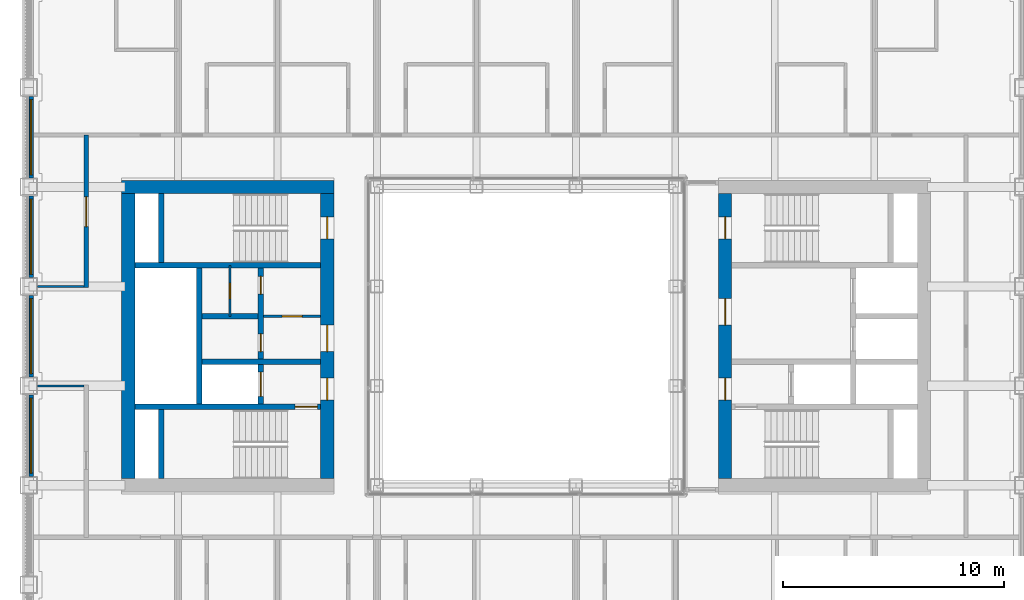
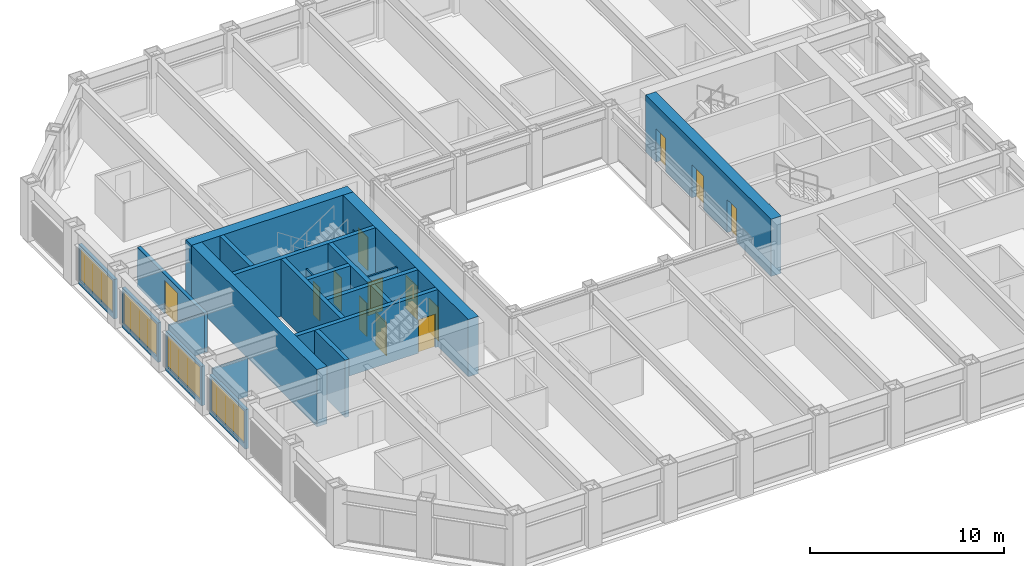
# One storey, part 11 of 17: 21 walls, 13 doors, 4 windows, 17 openings.
"""IFC4 building model written with IfcOpenShell, lengths in metres."""

from ifc_helpers import new_model, si_unit, direction, frame, frame_2d, origin, place, context, subcontext, project, spatial, rectangle, extrude, material, layer, layer_set, type_object, element, fill, save


model = new_model("IFC4")

# Units and contexts
model_context = context("Model", 3, precision=1e-05, world=origin(), true_north=direction((0.0, 1.0)))
body_context = subcontext(model_context, "Body", "Model", "MODEL_VIEW")
ifc_project = project(units=[si_unit("LENGTHUNIT", "METRE"), si_unit("AREAUNIT", "SQUARE_METRE"), si_unit("VOLUMEUNIT", "CUBIC_METRE"), si_unit("PLANEANGLEUNIT", "RADIAN"), si_unit("MASSUNIT", "GRAM", prefix="KILO")], contexts=[model_context])

# Site, building, storey
site_placement = place(None, origin())
site = spatial("IfcSite", under=ifc_project, at=site_placement, CompositionType="ELEMENT")
building_placement = place(site_placement, origin())
building = spatial("IfcBuilding", under=site, at=building_placement, Name="Msasa Ring Tower", CompositionType="ELEMENT")
storey_placement = place(building_placement, frame((0.0, 0.0, 140.0)))
storey = spatial("IfcBuildingStorey", under=building, at=storey_placement, Name="L36", CompositionType="ELEMENT", Elevation=140.0)

# Wall, openings, doors
ifc_material_1 = material(Name="Concrete C60/75", Category="concrete")
ifc_layer_1 = layer(ifc_material_1, 0.60009765625)
ifc_layer_set_1 = layer_set([ifc_layer_1], Name="CW2 CORE WALL 600")
wall_type_1 = type_object("IfcWallType", Name="CW2 CORE WALL 600", PredefinedType="SHEAR", material=ifc_layer_set_1)
wall_1_placement = place(storey_placement, frame((9.0, -6.449951171875, 0.0), z_axis=(0.0, 0.0, 1.0), x_axis=(0.0, 1.0, 0.0)))
wall_1 = element("IfcWall", 1, at=wall_1_placement, inside=storey, type_object=wall_type_1, Name="E core wall W L36", PredefinedType="SHEAR", context=body_context, shape_type="SweptSolid", body=[
    extrude(rectangle(XDim=12.89990234375, YDim=0.60009765625, at=frame_2d((6.449951171875, 0.0))), origin(), (0.0, 0.0, 1.0), 3.60009765625),
])
opening_1_placement = place(wall_1_placement, frame((3.550048828125, 0.0, 0.0)))
opening_1 = element("IfcOpeningElement", 2, at=opening_1_placement, cuts=wall_1, Name="Opening HC-029", PredefinedType="OPENING", context=body_context, shape_type="SweptSolid", body=[
    extrude(rectangle(XDim=1.0, YDim=2.10009765625, at=frame_2d((0.5, 1.050048828125))), frame((0.0, 0.31005859375, 0.0), z_axis=(0.0, -1.0, 0.0), x_axis=(1.0, 0.0, 0.0)), (0.0, 0.0, 1.0), 0.6201171875),
])
opening_2_placement = place(wall_1_placement, frame((6.949951171875, 0.0, 0.0)))
opening_2 = element("IfcOpeningElement", 3, at=opening_2_placement, cuts=wall_1, Name="Opening HC-023", PredefinedType="OPENING", context=body_context, shape_type="SweptSolid", body=[
    extrude(rectangle(XDim=1.199951171875, YDim=2.10009765625, at=frame_2d((0.60009765625, 1.050048828125))), frame((0.0, 0.31005859375, 0.0), z_axis=(0.0, -1.0, 0.0), x_axis=(1.0, 0.0, 0.0)), (0.0, 0.0, 1.0), 0.6201171875),
])
opening_3_placement = place(wall_1_placement, frame((10.85009765625, 0.0, 0.0)))
opening_3 = element("IfcOpeningElement", 4, at=opening_3_placement, cuts=wall_1, Name="Opening HC-020", PredefinedType="OPENING", context=body_context, shape_type="SweptSolid", body=[
    extrude(rectangle(XDim=1.0, YDim=2.10009765625, at=frame_2d((0.5, 1.050048828125))), frame((0.0, 0.31005859375, 0.0), z_axis=(0.0, -1.0, 0.0), x_axis=(1.0, 0.0, 0.0)), (0.0, 0.0, 1.0), 0.6201171875),
])
ifc_material_2 = material(Name="Timber door leaf in a steel frame", Category="steel")
door_type_1 = type_object("IfcDoorType", Name="D4 LOBBY DOOR 1000x2100", OperationType="SINGLE_SWING_LEFT", PredefinedType="DOOR", material=ifc_material_2)
door_1_placement = place(opening_1_placement, origin())
door_1 = element("IfcDoor", 5, at=door_1_placement, inside=storey, type_object=door_type_1, Name="Door L36-EFFL", OperationType="SINGLE_SWING_LEFT", OverallHeight=2.10009765625, OverallWidth=1.0, PredefinedType="DOOR", context=body_context, shape_type="SweptSolid", body=[
    extrude(rectangle(XDim=1.0, YDim=2.10009765625, at=frame_2d((0.5, 1.050048828125))), frame((0.0, 0.02490234375, 0.0), z_axis=(0.0, -1.0, 0.0), x_axis=(1.0, 0.0, 0.0)), (0.0, 0.0, 1.0), 0.050048828125),
])
fill(opening_1, door_1)
ifc_material_3 = material(Name="Timber door leaf in a steel frame", Category="steel")
door_type_2 = type_object("IfcDoorType", Name="D5 WIDE LOBBY DOOR 1200x2100", OperationType="SINGLE_SWING_LEFT", PredefinedType="DOOR", material=ifc_material_3)
door_2_placement = place(opening_2_placement, origin())
door_2 = element("IfcDoor", 6, at=door_2_placement, inside=storey, type_object=door_type_2, Name="Door L36-ELL", OperationType="SINGLE_SWING_RIGHT", OverallHeight=2.10009765625, OverallWidth=1.199951171875, PredefinedType="DOOR", context=body_context, shape_type="SweptSolid", body=[
    extrude(rectangle(XDim=1.199951171875, YDim=2.10009765625, at=frame_2d((0.60009765625, 1.050048828125))), frame((0.0, 0.02490234375, 0.0), z_axis=(0.0, -1.0, 0.0), x_axis=(1.0, 0.0, 0.0)), (0.0, 0.0, 1.0), 0.050048828125),
])
fill(opening_2, door_2)
ifc_material_4 = material(Name="Timber door leaf in a steel frame", Category="steel")
door_type_3 = type_object("IfcDoorType", Name="D6 STAIR DOOR 1000x2100", OperationType="SINGLE_SWING_LEFT", PredefinedType="DOOR", material=ifc_material_4)
door_3_placement = place(opening_3_placement, origin())
door_3 = element("IfcDoor", 7, at=door_3_placement, inside=storey, type_object=door_type_3, Name="Door L36-ESTB", OperationType="SINGLE_SWING_RIGHT", OverallHeight=2.10009765625, OverallWidth=1.0, PredefinedType="DOOR", context=body_context, shape_type="SweptSolid", body=[
    extrude(rectangle(XDim=1.0, YDim=2.10009765625, at=frame_2d((0.5, 1.050048828125))), frame((0.0, 0.02490234375, 0.0), z_axis=(0.0, -1.0, 0.0), x_axis=(1.0, 0.0, 0.0)), (0.0, 0.0, 1.0), 0.050048828125),
])
fill(opening_3, door_3)

# Wall
wall_2_placement = place(storey_placement, frame((-8.699951171875, 6.75, 0.0), z_axis=(0.0, 0.0, 1.0), x_axis=(-1.0, 0.0, 0.0)))
element("IfcWall", 8, at=wall_2_placement, inside=storey, type_object=wall_type_1, Name="W core wall N L36", PredefinedType="SHEAR", context=body_context, shape_type="SweptSolid", body=[
    extrude(rectangle(XDim=9.60009765625, YDim=0.60009765625, at=frame_2d((4.800048828125, 0.0))), origin(), (0.0, 0.0, 1.0), 3.60009765625),
])

# Wall, openings, doors
wall_3_placement = place(storey_placement, frame((-9.0, -6.449951171875, 0.0), z_axis=(0.0, 0.0, 1.0), x_axis=(0.0, 1.0, 0.0)))
wall_3 = element("IfcWall", 9, at=wall_3_placement, inside=storey, type_object=wall_type_1, Name="W core wall W L36", PredefinedType="SHEAR", context=body_context, shape_type="SweptSolid", body=[
    extrude(rectangle(XDim=12.89990234375, YDim=0.60009765625, at=frame_2d((6.449951171875, 0.0))), origin(), (0.0, 0.0, 1.0), 3.60009765625),
])
opening_4_placement = place(wall_3_placement, frame((3.550048828125, 0.0, 0.0)))
opening_4 = element("IfcOpeningElement", 10, at=opening_4_placement, cuts=wall_3, Name="Opening HC-028", PredefinedType="OPENING", context=body_context, shape_type="SweptSolid", body=[
    extrude(rectangle(XDim=1.0, YDim=2.10009765625, at=frame_2d((0.5, 1.050048828125))), frame((0.0, 0.31005859375, 0.0), z_axis=(0.0, -1.0, 0.0), x_axis=(1.0, 0.0, 0.0)), (0.0, 0.0, 1.0), 0.6201171875),
])
opening_5_placement = place(wall_3_placement, frame((5.75, 0.0, 0.0)))
opening_5 = element("IfcOpeningElement", 11, at=opening_5_placement, cuts=wall_3, Name="Opening HC-026", PredefinedType="OPENING", context=body_context, shape_type="SweptSolid", body=[
    extrude(rectangle(XDim=1.199951171875, YDim=2.10009765625, at=frame_2d((0.60009765625, 1.050048828125))), frame((0.0, 0.31005859375, 0.0), z_axis=(0.0, -1.0, 0.0), x_axis=(1.0, 0.0, 0.0)), (0.0, 0.0, 1.0), 0.6201171875),
])
opening_6_placement = place(wall_3_placement, frame((10.85009765625, 0.0, 0.0)))
opening_6 = element("IfcOpeningElement", 12, at=opening_6_placement, cuts=wall_3, Name="Opening HC-019", PredefinedType="OPENING", context=body_context, shape_type="SweptSolid", body=[
    extrude(rectangle(XDim=1.0, YDim=2.10009765625, at=frame_2d((0.5, 1.050048828125))), frame((0.0, 0.31005859375, 0.0), z_axis=(0.0, -1.0, 0.0), x_axis=(1.0, 0.0, 0.0)), (0.0, 0.0, 1.0), 0.6201171875),
])
door_4_placement = place(opening_4_placement, origin())
door_4 = element("IfcDoor", 13, at=door_4_placement, inside=storey, type_object=door_type_1, Name="Door L36-WFFL", OperationType="SINGLE_SWING_LEFT", OverallHeight=2.10009765625, OverallWidth=1.0, PredefinedType="DOOR", context=body_context, shape_type="SweptSolid", body=[
    extrude(rectangle(XDim=1.0, YDim=2.10009765625, at=frame_2d((0.5, 1.050048828125))), frame((0.0, 0.02490234375, 0.0), z_axis=(0.0, -1.0, 0.0), x_axis=(1.0, 0.0, 0.0)), (0.0, 0.0, 1.0), 0.050048828125),
])
fill(opening_4, door_4)
door_5_placement = place(opening_5_placement, origin())
door_5 = element("IfcDoor", 14, at=door_5_placement, inside=storey, type_object=door_type_2, Name="Door L36-WLL", OperationType="SINGLE_SWING_LEFT", OverallHeight=2.10009765625, OverallWidth=1.199951171875, PredefinedType="DOOR", context=body_context, shape_type="SweptSolid", body=[
    extrude(rectangle(XDim=1.199951171875, YDim=2.10009765625, at=frame_2d((0.60009765625, 1.050048828125))), frame((0.0, 0.02490234375, 0.0), z_axis=(0.0, -1.0, 0.0), x_axis=(1.0, 0.0, 0.0)), (0.0, 0.0, 1.0), 0.050048828125),
])
fill(opening_5, door_5)
door_6_placement = place(opening_6_placement, origin())
door_6 = element("IfcDoor", 15, at=door_6_placement, inside=storey, type_object=door_type_3, Name="Door L36-WSTB", OperationType="SINGLE_SWING_RIGHT", OverallHeight=2.10009765625, OverallWidth=1.0, PredefinedType="DOOR", context=body_context, shape_type="SweptSolid", body=[
    extrude(rectangle(XDim=1.0, YDim=2.10009765625, at=frame_2d((0.5, 1.050048828125))), frame((0.0, 0.02490234375, 0.0), z_axis=(0.0, -1.0, 0.0), x_axis=(1.0, 0.0, 0.0)), (0.0, 0.0, 1.0), 0.050048828125),
])
fill(opening_6, door_6)

# Wall
wall_4_placement = place(storey_placement, frame((-18.0, -6.449951171875, 0.0), z_axis=(0.0, 0.0, 1.0), x_axis=(0.0, 1.0, 0.0)))
element("IfcWall", 16, at=wall_4_placement, inside=storey, type_object=wall_type_1, Name="W core wall E L36", PredefinedType="SHEAR", context=body_context, shape_type="SweptSolid", body=[
    extrude(rectangle(XDim=12.89990234375, YDim=0.60009765625, at=frame_2d((6.449951171875, 0.0))), origin(), (0.0, 0.0, 1.0), 3.60009765625),
])

# Wall, opening, door
ifc_material_5 = material(Name="Concrete C60/75", Category="concrete")
ifc_layer_2 = layer(ifc_material_5, 0.25)
ifc_layer_set_2 = layer_set([ifc_layer_2], Name="CW4 CORE INNER WALL 250")
wall_type_2 = type_object("IfcWallType", Name="CW4 CORE INNER WALL 250", PredefinedType="SHEAR", material=ifc_layer_set_2)
wall_5_placement = place(storey_placement, frame((-9.300048828125, -3.199951171875, 0.0), z_axis=(0.0, 0.0, 1.0), x_axis=(-1.0, 0.0, 0.0)))
wall_5 = element("IfcWall", 17, at=wall_5_placement, inside=storey, type_object=wall_type_2, Name="W core wall STAIRA L36", PredefinedType="SHEAR", context=body_context, shape_type="SweptSolid", body=[
    extrude(rectangle(XDim=8.39990234375, YDim=0.25, at=frame_2d((4.199951171875, 0.0))), origin(), (0.0, 0.0, 1.0), 3.60009765625),
])
opening_7_placement = place(wall_5_placement, frame((0.14990234375, 0.0, 0.0)))
opening_7 = element("IfcOpeningElement", 18, at=opening_7_placement, cuts=wall_5, Name="Opening HC-030", PredefinedType="OPENING", context=body_context, shape_type="SweptSolid", body=[
    extrude(rectangle(XDim=1.0, YDim=2.10009765625, at=frame_2d((0.5, 1.050048828125))), frame((0.0, 0.135009765625, 0.0), z_axis=(0.0, -1.0, 0.0), x_axis=(1.0, 0.0, 0.0)), (0.0, 0.0, 1.0), 0.27001953125),
])
door_7_placement = place(opening_7_placement, origin())
door_7 = element("IfcDoor", 19, at=door_7_placement, inside=storey, type_object=door_type_3, Name="Door L36-WSTA", OperationType="SINGLE_SWING_LEFT", OverallHeight=2.10009765625, OverallWidth=1.0, PredefinedType="DOOR", context=body_context, shape_type="SweptSolid", body=[
    extrude(rectangle(XDim=1.0, YDim=2.10009765625, at=frame_2d((0.5, 1.050048828125))), frame((0.0, 0.02490234375, 0.0), z_axis=(0.0, -1.0, 0.0), x_axis=(1.0, 0.0, 0.0)), (0.0, 0.0, 1.0), 0.050048828125),
])
fill(opening_7, door_7)

# Walls
wall_6_placement = place(storey_placement, frame((-9.300048828125, 3.199951171875, 0.0), z_axis=(0.0, 0.0, 1.0), x_axis=(-1.0, 0.0, 0.0)))
element("IfcWall", 20, at=wall_6_placement, inside=storey, type_object=wall_type_2, Name="W core wall STAIRB L36", PredefinedType="SHEAR", context=body_context, shape_type="SweptSolid", body=[
    extrude(rectangle(XDim=8.39990234375, YDim=0.25, at=frame_2d((4.199951171875, 0.0))), origin(), (0.0, 0.0, 1.0), 3.60009765625),
])
for number, where, z_axis, x_axis, name in (
    (21, (-16.5, -6.449951171875, 0.0), (0.0, 0.0, 1.0), (0.0, 1.0, 0.0), "W core wall RISERA L36"),
    (22, (-16.5, 3.324951171875, 0.0), (0.0, 0.0, 1.0), (0.0, 1.0, 0.0), "W core wall RISERB L36"),
):
    element("IfcWall", number, at=place(storey_placement, frame(where, z_axis=z_axis, x_axis=x_axis)), inside=storey, type_object=wall_type_2, Name=name, PredefinedType="SHEAR", context=body_context, shape_type="SweptSolid", body=[
        extrude(rectangle(XDim=3.125, YDim=0.25, at=frame_2d((1.5625, 0.0))), origin(), (0.0, 0.0, 1.0), 3.60009765625),
    ])
wall_7_placement = place(storey_placement, frame((-9.300048828125, -1.14990234375, 0.0), z_axis=(0.0, 0.0, 1.0), x_axis=(-1.0, 0.0, 0.0)))
element("IfcWall", 23, at=wall_7_placement, inside=storey, type_object=wall_type_2, Name="W core wall FFL L36", PredefinedType="SHEAR", context=body_context, shape_type="SweptSolid", body=[
    extrude(rectangle(XDim=5.375, YDim=0.25, at=frame_2d((2.6875, 0.0))), origin(), (0.0, 0.0, 1.0), 3.60009765625),
])

# Wall, openings, doors
wall_8_placement = place(storey_placement, frame((-12.0, -3.074951171875, 0.0), z_axis=(0.0, 0.0, 1.0), x_axis=(0.0, 1.0, 0.0)))
wall_8 = element("IfcWall", 24, at=wall_8_placement, inside=storey, type_object=wall_type_2, Name="W core wall LOBBY L36", PredefinedType="SHEAR", context=body_context, shape_type="SweptSolid", body=[
    extrude(rectangle(XDim=6.14990234375, YDim=0.25, at=frame_2d((3.074951171875, 0.0))), origin(), (0.0, 0.0, 1.0), 3.60009765625),
])
opening_8_placement = place(wall_8_placement, frame((2.375, 0.0, 0.0)))
opening_8 = element("IfcOpeningElement", 25, at=opening_8_placement, cuts=wall_8, Name="Opening HC-027", PredefinedType="OPENING", context=body_context, shape_type="SweptSolid", body=[
    extrude(rectangle(XDim=0.800048828125, YDim=2.10009765625, at=frame_2d((0.39990234375, 1.050048828125))), frame((0.0, 0.135009765625, 0.0), z_axis=(0.0, -1.0, 0.0), x_axis=(1.0, 0.0, 0.0)), (0.0, 0.0, 1.0), 0.27001953125),
])
opening_9_placement = place(wall_8_placement, frame((4.97509765625, 0.0, 0.0)))
opening_9 = element("IfcOpeningElement", 26, at=opening_9_placement, cuts=wall_8, Name="Opening HC-021", PredefinedType="OPENING", context=body_context, shape_type="SweptSolid", body=[
    extrude(rectangle(XDim=0.800048828125, YDim=2.10009765625, at=frame_2d((0.39990234375, 1.050048828125))), frame((0.0, 0.135009765625, 0.0), z_axis=(0.0, -1.0, 0.0), x_axis=(1.0, 0.0, 0.0)), (0.0, 0.0, 1.0), 0.27001953125),
])
opening_10_placement = place(wall_8_placement, frame((0.35009765625, 0.0, 0.0)))
opening_10 = element("IfcOpeningElement", 27, at=opening_10_placement, cuts=wall_8, Name="Opening LD1", PredefinedType="OPENING", context=body_context, shape_type="SweptSolid", body=[
    extrude(rectangle(XDim=1.10009765625, YDim=2.10009765625, at=frame_2d((0.550048828125, 1.050048828125))), frame((0.0, 0.135009765625, 0.0), z_axis=(0.0, -1.0, 0.0), x_axis=(1.0, 0.0, 0.0)), (0.0, 0.0, 1.0), 0.27001953125),
])
ifc_material_6 = material(Name="Timber door leaf in a steel frame", Category="steel")
door_type_4 = type_object("IfcDoorType", Name="D9 NARROW SERVICE DOOR 800x2100", OperationType="SINGLE_SWING_LEFT", PredefinedType="DOOR", material=ifc_material_6)
door_8_placement = place(opening_8_placement, origin())
door_8 = element("IfcDoor", 28, at=door_8_placement, inside=storey, type_object=door_type_4, Name="Door L36-WR1", OperationType="SINGLE_SWING_LEFT", OverallHeight=2.10009765625, OverallWidth=0.800048828125, PredefinedType="DOOR", context=body_context, shape_type="SweptSolid", body=[
    extrude(rectangle(XDim=0.800048828125, YDim=2.10009765625, at=frame_2d((0.39990234375, 1.050048828125))), frame((0.0, 0.02490234375, 0.0), z_axis=(0.0, -1.0, 0.0), x_axis=(1.0, 0.0, 0.0)), (0.0, 0.0, 1.0), 0.050048828125),
])
fill(opening_8, door_8)
door_9_placement = place(opening_9_placement, origin())
door_9 = element("IfcDoor", 29, at=door_9_placement, inside=storey, type_object=door_type_4, Name="Door L36-WR2", OperationType="SINGLE_SWING_RIGHT", OverallHeight=2.10009765625, OverallWidth=0.800048828125, PredefinedType="DOOR", context=body_context, shape_type="SweptSolid", body=[
    extrude(rectangle(XDim=0.800048828125, YDim=2.10009765625, at=frame_2d((0.39990234375, 1.050048828125))), frame((0.0, 0.02490234375, 0.0), z_axis=(0.0, -1.0, 0.0), x_axis=(1.0, 0.0, 0.0)), (0.0, 0.0, 1.0), 0.050048828125),
])
fill(opening_9, door_9)
ifc_material_7 = material(Name="Stainless steel lift landing door", Category="steel")
door_type_5 = type_object("IfcDoorType", Name="LD1 LIFT LANDING DOOR 1100x2100", OperationType="DOUBLE_DOOR_SLIDING", PredefinedType="DOOR", material=ifc_material_7)
door_10_placement = place(opening_10_placement, origin())
door_10 = element("IfcDoor", 30, at=door_10_placement, inside=storey, type_object=door_type_5, Name="Lift landing door FL-W L36", OperationType="DOUBLE_DOOR_SLIDING", OverallHeight=2.10009765625, OverallWidth=1.10009765625, PredefinedType="DOOR", context=body_context, shape_type="SweptSolid", body=[
    extrude(rectangle(XDim=1.10009765625, YDim=2.10009765625, at=frame_2d((0.550048828125, 1.050048828125))), frame((0.0, 0.02490234375, 0.0), z_axis=(0.0, -1.0, 0.0), x_axis=(1.0, 0.0, 0.0)), (0.0, 0.0, 1.0), 0.050048828125),
])
fill(opening_10, door_10)

# Walls
wall_9_placement = place(storey_placement, frame((-14.800048828125, -3.074951171875, 0.0), z_axis=(0.0, 0.0, 1.0), x_axis=(0.0, 1.0, 0.0)))
element("IfcWall", 31, at=wall_9_placement, inside=storey, type_object=wall_type_2, Name="W core wall SHAFT L36", PredefinedType="SHEAR", context=body_context, shape_type="SweptSolid", body=[
    extrude(rectangle(XDim=6.14990234375, YDim=0.25, at=frame_2d((3.074951171875, 0.0))), origin(), (0.0, 0.0, 1.0), 3.60009765625),
])
wall_10_placement = place(storey_placement, frame((-12.125, 0.89990234375, 0.0), z_axis=(0.0, 0.0, 1.0), x_axis=(-1.0, 0.0, 0.0)))
element("IfcWall", 32, at=wall_10_placement, inside=storey, type_object=wall_type_2, Name="W core wall LIFT1 L36", PredefinedType="SHEAR", context=body_context, shape_type="SweptSolid", body=[
    extrude(rectangle(XDim=2.550048828125, YDim=0.25, at=frame_2d((1.27490234375, 0.0))), origin(), (0.0, 0.0, 1.0), 3.60009765625),
])

# Wall, opening, window
ifc_material_8 = material(Name="Terracotta rainscreen on blockwork", Category="masonry")
ifc_layer_3 = layer(ifc_material_8, 0.199951171875)
ifc_layer_set_3 = layer_set([ifc_layer_3], Name="FW1 TERRACOTTA-LINED INFILL BAY WALL 200")
wall_type_3 = type_object("IfcWallType", Name="FW1 TERRACOTTA-LINED INFILL BAY WALL 200", PredefinedType="SOLIDWALL", material=ifc_layer_set_3)
wall_11_placement = place(storey_placement, frame((-22.39990234375, -6.344970703125, 0.0), z_axis=(0.0, 0.0, 1.0), x_axis=(0.0, 1.0, 0.0)))
wall_11 = element("IfcWall", 33, at=wall_11_placement, inside=storey, type_object=wall_type_3, Name="Infill bay wall W L36 29", PredefinedType="SOLIDWALL", context=body_context, shape_type="SweptSolid", body=[
    extrude(rectangle(XDim=3.68994140625, YDim=0.199951171875, at=frame_2d((1.844970703125, 0.0))), origin(), (0.0, 0.0, 1.0), 2.47900390625),
])
opening_11_placement = place(wall_11_placement, frame((0.14501953125, 0.0, 0.300048828125)))
opening_11 = element("IfcOpeningElement", 34, at=opening_11_placement, cuts=wall_11, Name="Opening WN2", PredefinedType="OPENING", context=body_context, shape_type="SweptSolid", body=[
    extrude(rectangle(XDim=3.39990234375, YDim=2.029052734375, at=frame_2d((1.699951171875, 1.0146484375))), frame((0.0, 0.10986328125, 0.0), z_axis=(0.0, -1.0, 0.0), x_axis=(1.0, 0.0, 0.0)), (0.0, 0.0, 1.0), 0.219970703125),
])
ifc_material_9 = material(Name="Aluminium frame with clear glass", Category="aluminium")
window_type = type_object("IfcWindowType", Name="WN2 GUEST ROOM WINDOW 3400x2029", PartitioningType="SINGLE_PANEL", PredefinedType="WINDOW", material=ifc_material_9)
window_1_placement = place(opening_11_placement, origin())
window_1 = element("IfcWindow", 35, at=window_1_placement, inside=storey, type_object=window_type, Name="Window W L36 29", OverallHeight=2.029052734375, OverallWidth=3.39990234375, PartitioningType="SINGLE_PANEL", PredefinedType="WINDOW", context=body_context, shape_type="SweptSolid", body=[
    extrude(rectangle(XDim=3.39990234375, YDim=2.029052734375, at=frame_2d((1.699951171875, 1.0146484375))), frame((0.0, 0.030029296875, 0.0), z_axis=(0.0, -1.0, 0.0), x_axis=(1.0, 0.0, 0.0)), (0.0, 0.0, 1.0), 0.06005859375),
])
fill(opening_11, window_1)

wall_12_placement = place(storey_placement, frame((-22.39990234375, -1.844970703125, 0.0), z_axis=(0.0, 0.0, 1.0), x_axis=(0.0, 1.0, 0.0)))
wall_12 = element("IfcWall", 36, at=wall_12_placement, inside=storey, type_object=wall_type_3, Name="Infill bay wall W L36 30", PredefinedType="SOLIDWALL", context=body_context, shape_type="SweptSolid", body=[
    extrude(rectangle(XDim=3.68994140625, YDim=0.199951171875, at=frame_2d((1.844970703125, 0.0))), origin(), (0.0, 0.0, 1.0), 2.47900390625),
])
opening_12_placement = place(wall_12_placement, frame((0.14501953125, 0.0, 0.300048828125)))
opening_12 = element("IfcOpeningElement", 37, at=opening_12_placement, cuts=wall_12, Name="Opening WN2", PredefinedType="OPENING", context=body_context, shape_type="SweptSolid", body=[
    extrude(rectangle(XDim=3.39990234375, YDim=2.029052734375, at=frame_2d((1.699951171875, 1.0146484375))), frame((0.0, 0.10986328125, 0.0), z_axis=(0.0, -1.0, 0.0), x_axis=(1.0, 0.0, 0.0)), (0.0, 0.0, 1.0), 0.219970703125),
])
window_2_placement = place(opening_12_placement, origin())
window_2 = element("IfcWindow", 38, at=window_2_placement, inside=storey, type_object=window_type, Name="Window W L36 30", OverallHeight=2.029052734375, OverallWidth=3.39990234375, PartitioningType="SINGLE_PANEL", PredefinedType="WINDOW", context=body_context, shape_type="SweptSolid", body=[
    extrude(rectangle(XDim=3.39990234375, YDim=2.029052734375, at=frame_2d((1.699951171875, 1.0146484375))), frame((0.0, 0.030029296875, 0.0), z_axis=(0.0, -1.0, 0.0), x_axis=(1.0, 0.0, 0.0)), (0.0, 0.0, 1.0), 0.06005859375),
])
fill(opening_12, window_2)

wall_13_placement = place(storey_placement, frame((-22.39990234375, 2.655029296875, 0.0), z_axis=(0.0, 0.0, 1.0), x_axis=(0.0, 1.0, 0.0)))
wall_13 = element("IfcWall", 39, at=wall_13_placement, inside=storey, type_object=wall_type_3, Name="Infill bay wall W L36 31", PredefinedType="SOLIDWALL", context=body_context, shape_type="SweptSolid", body=[
    extrude(rectangle(XDim=3.68994140625, YDim=0.199951171875, at=frame_2d((1.844970703125, 0.0))), origin(), (0.0, 0.0, 1.0), 2.47900390625),
])
opening_13_placement = place(wall_13_placement, frame((0.14501953125, 0.0, 0.300048828125)))
opening_13 = element("IfcOpeningElement", 40, at=opening_13_placement, cuts=wall_13, Name="Opening WN2", PredefinedType="OPENING", context=body_context, shape_type="SweptSolid", body=[
    extrude(rectangle(XDim=3.39990234375, YDim=2.029052734375, at=frame_2d((1.699951171875, 1.0146484375))), frame((0.0, 0.10986328125, 0.0), z_axis=(0.0, -1.0, 0.0), x_axis=(1.0, 0.0, 0.0)), (0.0, 0.0, 1.0), 0.219970703125),
])
window_3_placement = place(opening_13_placement, origin())
window_3 = element("IfcWindow", 41, at=window_3_placement, inside=storey, type_object=window_type, Name="Window W L36 31", OverallHeight=2.029052734375, OverallWidth=3.39990234375, PartitioningType="SINGLE_PANEL", PredefinedType="WINDOW", context=body_context, shape_type="SweptSolid", body=[
    extrude(rectangle(XDim=3.39990234375, YDim=2.029052734375, at=frame_2d((1.699951171875, 1.0146484375))), frame((0.0, 0.030029296875, 0.0), z_axis=(0.0, -1.0, 0.0), x_axis=(1.0, 0.0, 0.0)), (0.0, 0.0, 1.0), 0.06005859375),
])
fill(opening_13, window_3)

wall_14_placement = place(storey_placement, frame((-22.39990234375, 7.155029296875, 0.0), z_axis=(0.0, 0.0, 1.0), x_axis=(0.0, 1.0, 0.0)))
wall_14 = element("IfcWall", 42, at=wall_14_placement, inside=storey, type_object=wall_type_3, Name="Infill bay wall W L36 32", PredefinedType="SOLIDWALL", context=body_context, shape_type="SweptSolid", body=[
    extrude(rectangle(XDim=3.68994140625, YDim=0.199951171875, at=frame_2d((1.844970703125, 0.0))), origin(), (0.0, 0.0, 1.0), 2.47900390625),
])
opening_14_placement = place(wall_14_placement, frame((0.14501953125, 0.0, 0.300048828125)))
opening_14 = element("IfcOpeningElement", 43, at=opening_14_placement, cuts=wall_14, Name="Opening WN2", PredefinedType="OPENING", context=body_context, shape_type="SweptSolid", body=[
    extrude(rectangle(XDim=3.39990234375, YDim=2.029052734375, at=frame_2d((1.699951171875, 1.0146484375))), frame((0.0, 0.10986328125, 0.0), z_axis=(0.0, -1.0, 0.0), x_axis=(1.0, 0.0, 0.0)), (0.0, 0.0, 1.0), 0.219970703125),
])
window_4_placement = place(opening_14_placement, origin())
window_4 = element("IfcWindow", 44, at=window_4_placement, inside=storey, type_object=window_type, Name="Window W L36 32", OverallHeight=2.029052734375, OverallWidth=3.39990234375, PartitioningType="SINGLE_PANEL", PredefinedType="WINDOW", context=body_context, shape_type="SweptSolid", body=[
    extrude(rectangle(XDim=3.39990234375, YDim=2.029052734375, at=frame_2d((1.699951171875, 1.0146484375))), frame((0.0, 0.030029296875, 0.0), z_axis=(0.0, -1.0, 0.0), x_axis=(1.0, 0.0, 0.0)), (0.0, 0.0, 1.0), 0.06005859375),
])
fill(opening_14, window_4)

# Wall, opening, door
ifc_material_10 = material(Name="Concrete blockwork", Category="masonry")
ifc_layer_4 = layer(ifc_material_10, 0.199951171875)
ifc_layer_set_4 = layer_set([ifc_layer_4], Name="PT1 CORRIDOR WALL 200")
wall_type_4 = type_object("IfcWallType", Name="PT1 CORRIDOR WALL 200", PredefinedType="PARTITIONING", material=ifc_layer_set_4)
wall_15_placement = place(storey_placement, frame((-19.89990234375, 2.199951171875, 0.0), z_axis=(0.0, 0.0, 1.0), x_axis=(0.0, 1.0, 0.0)))
wall_15 = element("IfcWall", 45, at=wall_15_placement, inside=storey, type_object=wall_type_4, Name="Corridor wall L36-STRWN", PredefinedType="PARTITIONING", context=body_context, shape_type="SweptSolid", body=[
    extrude(rectangle(XDim=6.900146484375, YDim=0.199951171875, at=frame_2d((3.4501953125, 0.0))), origin(), (0.0, 0.0, 1.0), 2.473388671875),
])
opening_15_placement = place(wall_15_placement, frame((2.75, 0.0, 0.0)))
opening_15 = element("IfcOpeningElement", 46, at=opening_15_placement, cuts=wall_15, Name="Opening HC-018", PredefinedType="OPENING", context=body_context, shape_type="SweptSolid", body=[
    extrude(rectangle(XDim=1.35009765625, YDim=2.10009765625, at=frame_2d((0.675048828125, 1.050048828125))), frame((0.0, 0.10986328125, 0.0), z_axis=(0.0, -1.0, 0.0), x_axis=(1.0, 0.0, 0.0)), (0.0, 0.0, 1.0), 0.219970703125),
])
ifc_material_11 = material(Name="Timber door leaf in a steel frame", Category="steel")
door_type_6 = type_object("IfcDoorType", Name="D23 HOUSEKEEPING UNEQUAL PAIR OF DOORS 1350x2100", OperationType="SINGLE_SWING_LEFT", PredefinedType="DOOR", material=ifc_material_11)
door_11_placement = place(opening_15_placement, origin())
door_11 = element("IfcDoor", 47, at=door_11_placement, inside=storey, type_object=door_type_6, Name="Door L36-HKW", OperationType="SINGLE_SWING_LEFT", OverallHeight=2.10009765625, OverallWidth=1.35009765625, PredefinedType="DOOR", context=body_context, shape_type="SweptSolid", body=[
    extrude(rectangle(XDim=1.35009765625, YDim=2.10009765625, at=frame_2d((0.675048828125, 1.050048828125))), frame((0.0, 0.02490234375, 0.0), z_axis=(0.0, -1.0, 0.0), x_axis=(1.0, 0.0, 0.0)), (0.0, 0.0, 1.0), 0.050048828125),
])
fill(opening_15, door_11)

# Walls
ifc_material_12 = material(Name="Gypsum board on steel studs", Category="steel")
ifc_layer_5 = layer(ifc_material_12, 0.10009765625)
ifc_layer_set_5 = layer_set([ifc_layer_5], Name="PT2 STUD PARTITION 100")
wall_type_5 = type_object("IfcWallType", Name="PT2 STUD PARTITION 100", PredefinedType="PARTITIONING", material=ifc_layer_set_5)
for number, where, z_axis, x_axis, name in (
    (48, (-22.10009765625, 2.25, 0.0), (0.0, 0.0, 1.0), (1.0, 0.0, 0.0), "Partition L36-ALWN"),
    (49, (-22.10009765625, -2.25, 0.0), (0.0, 0.0, 1.0), (1.0, 0.0, 0.0), "Partition L36-ALWS"),
):
    element("IfcWall", number, at=place(storey_placement, frame(where, z_axis=z_axis, x_axis=x_axis)), inside=storey, type_object=wall_type_5, Name=name, PredefinedType="PARTITIONING", context=body_context, shape_type="SweptSolid", body=[
        extrude(rectangle(XDim=2.10009765625, YDim=0.10009765625, at=frame_2d((1.050048828125, 0.0))), origin(), (0.0, 0.0, 1.0), 2.473388671875),
    ])

# Wall, opening, door
wall_16_placement = place(storey_placement, frame((-11.875, 0.89990234375, 0.0), z_axis=(0.0, 0.0, 1.0), x_axis=(1.0, 0.0, 0.0)))
wall_16 = element("IfcWall", 50, at=wall_16_placement, inside=storey, type_object=wall_type_5, Name="Partition L36-WCP", PredefinedType="PARTITIONING", context=body_context, shape_type="SweptSolid", body=[
    extrude(rectangle(XDim=2.574951171875, YDim=0.10009765625, at=frame_2d((1.28759765625, 0.0))), origin(), (0.0, 0.0, 1.0), 2.473388671875),
])
opening_16_placement = place(wall_16_placement, frame((0.83740234375, 0.0, 0.0)))
opening_16 = element("IfcOpeningElement", 51, at=opening_16_placement, cuts=wall_16, Name="Opening HC-024", PredefinedType="OPENING", context=body_context, shape_type="SweptSolid", body=[
    extrude(rectangle(XDim=0.89990234375, YDim=2.10009765625, at=frame_2d((0.449951171875, 1.050048828125))), frame((0.0, 0.06005859375, 0.0), z_axis=(0.0, -1.0, 0.0), x_axis=(1.0, 0.0, 0.0)), (0.0, 0.0, 1.0), 0.1201171875),
])
ifc_material_13 = material(Name="Timber door leaf in a steel frame", Category="steel")
door_type_7 = type_object("IfcDoorType", Name="D22 INTERNAL HALL DOOR 900x2100", OperationType="SINGLE_SWING_LEFT", PredefinedType="DOOR", material=ifc_material_13)
door_12_placement = place(opening_16_placement, origin())
door_12 = element("IfcDoor", 52, at=door_12_placement, inside=storey, type_object=door_type_7, Name="Door L36-WCP", OperationType="SINGLE_SWING_LEFT", OverallHeight=2.10009765625, OverallWidth=0.89990234375, PredefinedType="DOOR", context=body_context, shape_type="SweptSolid", body=[
    extrude(rectangle(XDim=0.89990234375, YDim=2.10009765625, at=frame_2d((0.449951171875, 1.050048828125))), frame((0.0, 0.02490234375, 0.0), z_axis=(0.0, -1.0, 0.0), x_axis=(1.0, 0.0, 0.0)), (0.0, 0.0, 1.0), 0.050048828125),
])
fill(opening_16, door_12)

wall_17_placement = place(storey_placement, frame((-13.39990234375, 0.89990234375, 0.0), z_axis=(0.0, 0.0, 1.0), x_axis=(0.0, 1.0, 0.0)))
wall_17 = element("IfcWall", 53, at=wall_17_placement, inside=storey, type_object=wall_type_5, Name="Partition L36-WRP2", PredefinedType="PARTITIONING", context=body_context, shape_type="SweptSolid", body=[
    extrude(rectangle(XDim=2.300048828125, YDim=0.10009765625, at=frame_2d((1.14990234375, 0.0))), origin(), (0.0, 0.0, 1.0), 2.473388671875),
])
opening_17_placement = place(wall_17_placement, frame((0.800048828125, 0.0, 0.0)))
opening_17 = element("IfcOpeningElement", 54, at=opening_17_placement, cuts=wall_17, Name="Opening HC-022", PredefinedType="OPENING", context=body_context, shape_type="SweptSolid", body=[
    extrude(rectangle(XDim=0.699951171875, YDim=2.10009765625, at=frame_2d((0.35009765625, 1.050048828125))), frame((0.0, 0.06005859375, 0.0), z_axis=(0.0, -1.0, 0.0), x_axis=(1.0, 0.0, 0.0)), (0.0, 0.0, 1.0), 0.1201171875),
])
ifc_material_14 = material(Name="Timber door leaf in a steel frame", Category="steel")
door_type_8 = type_object("IfcDoorType", Name="D32 INTERNAL NARROW STORE DOOR 700x2100", OperationType="SINGLE_SWING_LEFT", PredefinedType="DOOR", material=ifc_material_14)
door_13_placement = place(opening_17_placement, origin())
door_13 = element("IfcDoor", 55, at=door_13_placement, inside=storey, type_object=door_type_8, Name="Door L36-WRC2", OperationType="SINGLE_SWING_LEFT", OverallHeight=2.10009765625, OverallWidth=0.699951171875, PredefinedType="DOOR", context=body_context, shape_type="SweptSolid", body=[
    extrude(rectangle(XDim=0.699951171875, YDim=2.10009765625, at=frame_2d((0.35009765625, 1.050048828125))), frame((0.0, 0.02490234375, 0.0), z_axis=(0.0, -1.0, 0.0), x_axis=(1.0, 0.0, 0.0)), (0.0, 0.0, 1.0), 0.050048828125),
])
fill(opening_17, door_13)

save(model, "model.ifc")
